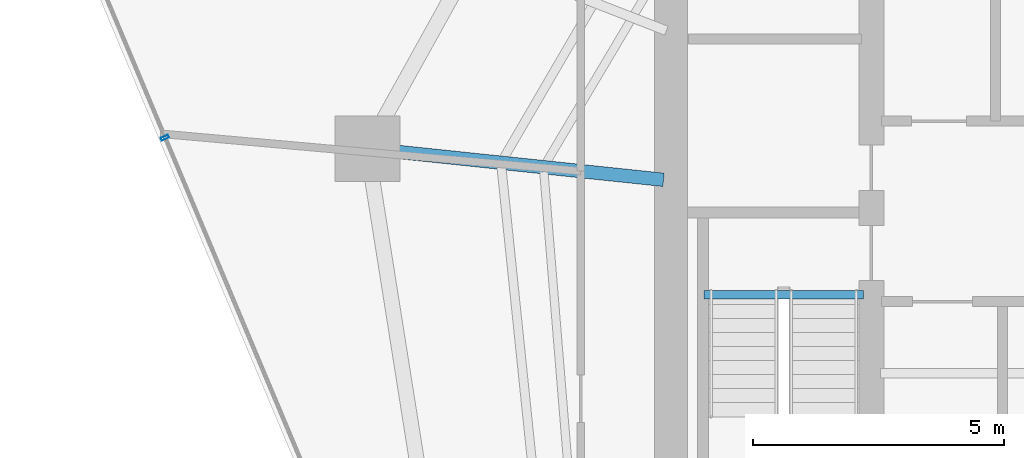
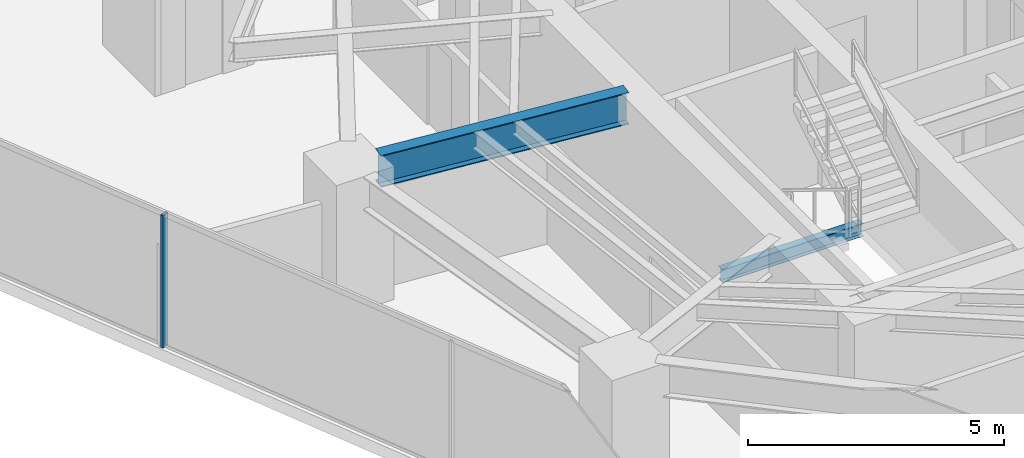
# One storey, part 9 of 30: 2 beams, 1 member, 1 element without a shape of its own.
"""IFC4 building model written with IfcOpenShell, lengths in metres."""

from ifc_helpers import new_model, si_unit, direction, frame, origin, origin_2d, place, context, subcontext, project, spatial, hollow_rectangle, i_section, extrude, material, layer, layer_set, material_profile, profile_set, type_object, element, aggregate, save


model = new_model("IFC4")

# Units and contexts
model_context = context("Model", 3, precision=1e-05, world=origin(), true_north=direction((0.0, 1.0)))
body_context = subcontext(model_context, "Body", "Model", "MODEL_VIEW")
ifc_project = project(units=[si_unit("LENGTHUNIT", "METRE"), si_unit("AREAUNIT", "SQUARE_METRE"), si_unit("VOLUMEUNIT", "CUBIC_METRE"), si_unit("PLANEANGLEUNIT", "RADIAN"), si_unit("MASSUNIT", "GRAM", prefix="KILO")], contexts=[model_context])

# Site, building, storey
site_placement = place(None, origin())
site = spatial("IfcSite", under=ifc_project, at=site_placement, CompositionType="ELEMENT")
building_placement = place(site_placement, origin())
building = spatial("IfcBuilding", under=site, at=building_placement, Name="Qarnah Convention Tower", CompositionType="ELEMENT")
storey_placement = place(building_placement, frame((0.0, 0.0, 40.800048828125)))
storey = spatial("IfcBuildingStorey", under=building, at=storey_placement, Name="L09", CompositionType="ELEMENT", Elevation=40.800048828125)

# Beams
ifc_material_1 = material(Name="Structural steel S355JR", Category="steel")
ifc_material_profile_1 = material_profile(ifc_material_1, i_section(OverallWidth=0.166015625, OverallDepth=0.31201171875, WebThickness=0.007080078125, FlangeThickness=0.010986328125, at=origin_2d()), Name="W310X45")
ifc_profile_set_1 = profile_set([ifc_material_profile_1], Name="Structural steel S355JR")
beam_type_1 = type_object("IfcBeamType", Name="BM-JST-W310", PredefinedType="JOIST", material=ifc_profile_set_1)
beam_1_placement = place(storey_placement, frame((27.4599609375, 25.217041015625, -0.156005859375), z_axis=(1.0, 0.0, 0.0), x_axis=(0.0, 1.0, 0.0)))
element("IfcBeam", 1, at=beam_1_placement, inside=storey, type_object=beam_type_1, Name="L09 stair landing trimmer beam BM-L09-ST1-TRM", PredefinedType="BEAM", context=body_context, shape_type="SweptSolid", body=[
    extrude(i_section(OverallWidth=0.166015625, OverallDepth=0.31201171875, WebThickness=0.007080078125, FlangeThickness=0.010986328125, at=origin_2d()), origin(), (0.0, 0.0, 1.0), 3.179931640625),
])
ifc_material_profile_2 = material_profile(ifc_material_1, i_section(OverallWidth=0.26806640625, OverallDepth=0.760009765625, WebThickness=0.014892578125, FlangeThickness=0.02197265625, at=origin_2d()), Name="W760X185")
ifc_profile_set_2 = profile_set([ifc_material_profile_2], Name="Structural steel S355JR")
beam_type_2 = type_object("IfcBeamType", Name="BM-RAD-W760", PredefinedType="BEAM", material=ifc_profile_set_2)
beam_2_placement = place(storey_placement, frame((26.65087890625, 27.509033203125, 2.7900390625), z_axis=(-0.99452834613, 0.10446707014, 0.0), x_axis=(-0.10446707014, -0.99452834613, 0.0)))
element("IfcBeam", 2, at=beam_2_placement, inside=storey, type_object=beam_type_2, Name="L09 beam BM-L09-RAD-05", PredefinedType="BEAM", context=body_context, shape_type="SweptSolid", body=[
    extrude(i_section(OverallWidth=0.26806640625, OverallDepth=0.760009765625, WebThickness=0.014892578125, FlangeThickness=0.02197265625, at=origin_2d()), origin(), (0.0, 0.0, 1.0), 5.31201171875),
])

# Curtain wall, member
ifc_material_2 = material(Name="Tempered Low-E dark glass", Category="glass")
ifc_layer = layer(ifc_material_2, 0.16796875)
ifc_layer_set = layer_set([ifc_layer], Name="Tempered Low-E dark glass")
curtain_wall_type = type_object("IfcCurtainWallType", Name="CWS-01", PredefinedType="NOTDEFINED", material=ifc_layer_set)
curtain_wall_placement = place(storey_placement, origin())
curtain_wall = element("IfcCurtainWall", 3, at=curtain_wall_placement, inside=storey, type_object=curtain_wall_type, Name="L09 unitised curtain wall CW-L09-F1", PredefinedType="NOTDEFINED")
ifc_material_3 = material(Name="Black anodised aluminium", Category="aluminium")
ifc_material_profile_3 = material_profile(ifc_material_3, hollow_rectangle(XDim=0.06005859375, YDim=0.159912109375, WallThickness=0.00390625, at=origin_2d()), Name="MUL-60X160")
ifc_profile_set_3 = profile_set([ifc_material_profile_3], Name="Black anodised aluminium")
member_type = type_object("IfcMemberType", Name="MUL-T1", PredefinedType="MULLION", material=ifc_profile_set_3)
member_placement = place(storey_placement, frame((16.69873046875, 28.34912109375, 0.0), z_axis=(0.0, 0.0, 1.0), x_axis=(-0.387513462631, 0.921864044358, 0.0)))
member = element("IfcMember", 4, at=member_placement, type_object=member_type, Name="CW-L09-F1 mullion 5", PredefinedType="MULLION", context=body_context, shape_type="SweptSolid", body=[
    extrude(hollow_rectangle(XDim=0.06005859375, YDim=0.159912109375, WallThickness=0.00390625, at=origin_2d()), origin(), (0.0, 0.0, 1.0), 3.169921875),
])
aggregate(curtain_wall, [member])

save(model, "model.ifc")
